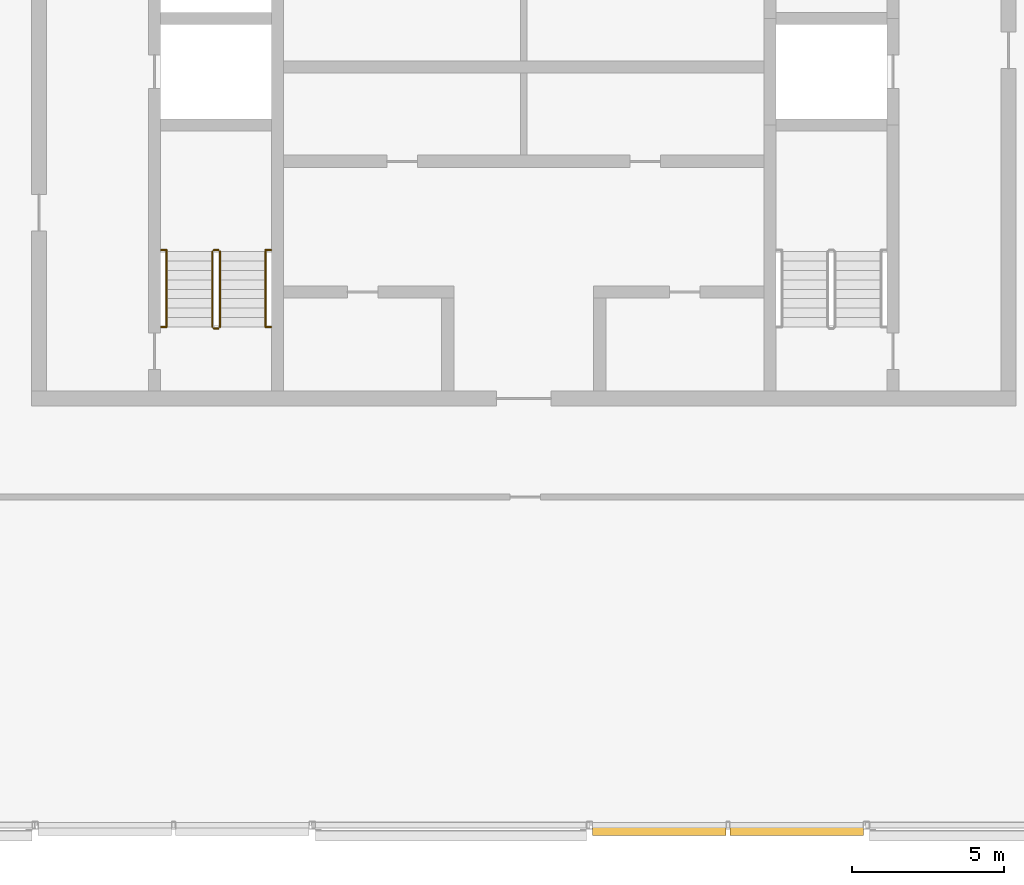
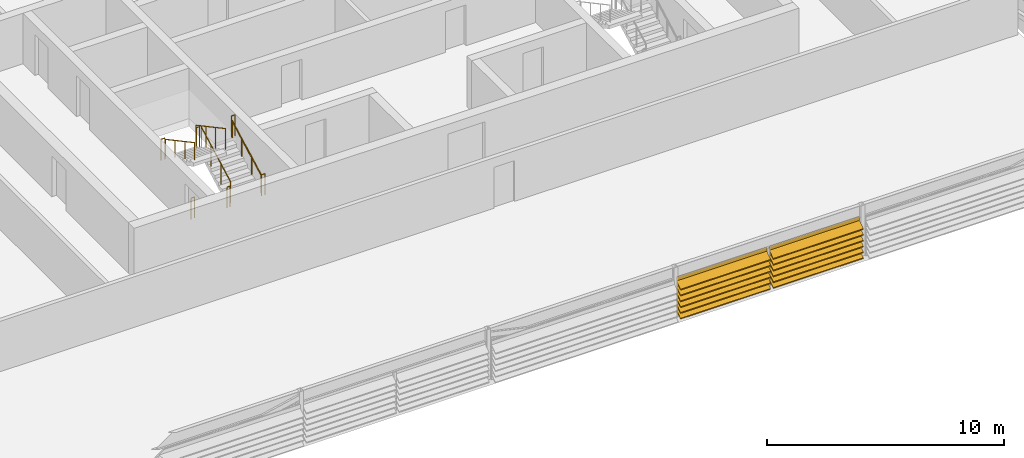
# One storey, part 24 of 27: 10 railings, 2 shading devices.
"""IFC4 building model written with IfcOpenShell, lengths in metres."""

from ifc_helpers import new_model, si_unit, direction, frame, origin, origin_2d, place, context, subcontext, project, spatial, polyline, circle, outline, extrude, material, type_object, element, save


model = new_model("IFC4")

# Units and contexts
model_context = context("Model", 3, precision=1e-05, world=origin(), true_north=direction((0.0, 1.0)))
body_context = subcontext(model_context, "Body", "Model", "MODEL_VIEW")
ifc_project = project(units=[si_unit("LENGTHUNIT", "METRE"), si_unit("AREAUNIT", "SQUARE_METRE"), si_unit("VOLUMEUNIT", "CUBIC_METRE"), si_unit("PLANEANGLEUNIT", "RADIAN"), si_unit("MASSUNIT", "GRAM", prefix="KILO")], contexts=[model_context])

# Site, building, storey
site_placement = place(None, origin())
site = spatial("IfcSite", under=ifc_project, at=site_placement, CompositionType="ELEMENT")
building_placement = place(site_placement, origin())
building = spatial("IfcBuilding", under=site, at=building_placement, Name="Madar Terraces", CompositionType="ELEMENT")
storey_placement = place(building_placement, frame((0.0, 0.0, 314.300048828125)))
storey = spatial("IfcBuildingStorey", under=building, at=storey_placement, Name="L81", CompositionType="ELEMENT", Elevation=314.300048828125)

# Shading devices
ifc_material_1 = material(Name="Aluminium, black anodised", Category="aluminium")
shading_device_type = type_object("IfcShadingDeviceType", Name="Crown louvre bank", PredefinedType="USERDEFINED", material=ifc_material_1)
shading_device_1_placement = place(storey_placement, frame((33.461669921875, 1.199951171875, 0.0), z_axis=(1.0, 0.0, 0.0), x_axis=(0.0, 1.0, 0.0)))
element("IfcShadingDevice", 1, at=shading_device_1_placement, inside=storey, type_object=shading_device_type, Name="LOUVRE bank L81 4.1", ObjectType="LOUVRE", PredefinedType="USERDEFINED", context=body_context, shape_type="SweptSolid", body=[
    extrude(outline(polyline([(0.014892578125, 0.0), (-0.014892578125, 0.0), (-0.014892578125, 0.24951171875), (-0.3427734375, 0.02001953125), (-0.3427734375, 0.06884765625), (-0.014892578125, 0.29833984375), (-0.014892578125, 0.54931640625), (-0.3427734375, 0.320068359375), (-0.3427734375, 0.368896484375), (-0.014892578125, 0.59814453125), (-0.014892578125, 0.849365234375), (-0.3427734375, 0.6201171875), (-0.3427734375, 0.6689453125), (-0.014892578125, 0.898193359375), (-0.014892578125, 1.1494140625), (-0.3427734375, 0.919921875), (-0.3427734375, 0.96875), (-0.014892578125, 1.1982421875), (-0.014892578125, 1.449462890625), (-0.3427734375, 1.219970703125), (-0.3427734375, 1.268798828125), (-0.014892578125, 1.498291015625), (-0.014892578125, 1.74951171875), (-0.3427734375, 1.52001953125), (-0.3427734375, 1.56884765625), (-0.014892578125, 1.79833984375), (-0.014892578125, 1.998046875), (0.014892578125, 1.998046875), (0.014892578125, 0.0)])), origin(), (0.0, 0.0, 1.0), 4.394775390625),
])
shading_device_2_placement = place(storey_placement, frame((37.9833984375, 1.199951171875, 0.0), z_axis=(1.0, 0.0, 0.0), x_axis=(0.0, 1.0, 0.0)))
element("IfcShadingDevice", 2, at=shading_device_2_placement, inside=storey, type_object=shading_device_type, Name="LOUVRE bank L81 4.2", ObjectType="LOUVRE", PredefinedType="USERDEFINED", context=body_context, shape_type="SweptSolid", body=[
    extrude(outline(polyline([(0.014892578125, 0.0), (-0.014892578125, 0.0), (-0.014892578125, 0.24951171875), (-0.3427734375, 0.02001953125), (-0.3427734375, 0.06884765625), (-0.014892578125, 0.29833984375), (-0.014892578125, 0.54931640625), (-0.3427734375, 0.320068359375), (-0.3427734375, 0.368896484375), (-0.014892578125, 0.59814453125), (-0.014892578125, 0.849365234375), (-0.3427734375, 0.6201171875), (-0.3427734375, 0.6689453125), (-0.014892578125, 0.898193359375), (-0.014892578125, 1.1494140625), (-0.3427734375, 0.919921875), (-0.3427734375, 0.96875), (-0.014892578125, 1.1982421875), (-0.014892578125, 1.449462890625), (-0.3427734375, 1.219970703125), (-0.3427734375, 1.268798828125), (-0.014892578125, 1.498291015625), (-0.014892578125, 1.74951171875), (-0.3427734375, 1.52001953125), (-0.3427734375, 1.56884765625), (-0.014892578125, 1.79833984375), (-0.014892578125, 1.998046875), (0.014892578125, 1.998046875), (0.014892578125, 0.0)])), origin(), (0.0, 0.0, 1.0), 4.39501953125),
])

# Railings
ifc_material_2 = material(Name="Stainless steel railing", Category="steel")
railing_type_1 = type_object("IfcRailingType", Name="Stair guard 1100", PredefinedType="GUARDRAIL", material=ifc_material_2)
railing_1_placement = place(storey_placement, frame((21.199951171875, 17.60009765625, 0.16650390625)))
element("IfcRailing", 3, at=railing_1_placement, inside=storey, type_object=railing_type_1, Name="L81 ST1 stair guard 1", PredefinedType="GUARDRAIL", context=body_context, shape_type="SweptSolid", body=[
    extrude(circle(Radius=0.02392578125, at=origin_2d()), frame((0.0, 0.0, 1.076171875), z_axis=(0.0, 0.880749358647, 0.473582693141), x_axis=(-1.0, 0.0, 0.0)), (0.0, 0.0, 1.0), 2.815673828125),
    extrude(circle(Radius=0.02099609375, at=origin_2d()), origin(), (0.0, 0.0, 1.0), 1.052001953125),
    extrude(circle(Radius=0.02099609375, at=origin_2d()), frame((0.0, 0.82666015625, 0.444580078125)), (0.0, 0.0, 1.0), 1.052001953125),
    extrude(circle(Radius=0.02099609375, at=origin_2d()), frame((0.0, 1.6533203125, 0.888916015625)), (0.0, 0.0, 1.0), 1.052001953125),
    extrude(circle(Radius=0.02099609375, at=origin_2d()), frame((0.0, 2.47998046875, 1.33349609375)), (0.0, 0.0, 1.0), 1.052001953125),
])
railing_2_placement = place(storey_placement, frame((21.14990234375, 20.1298828125, 1.5)))
element("IfcRailing", 4, at=railing_2_placement, inside=storey, type_object=railing_type_1, Name="L81 ST1 stair guard 2", PredefinedType="GUARDRAIL", context=body_context, shape_type="SweptSolid", body=[
    extrude(circle(Radius=0.02392578125, at=origin_2d()), frame((0.0, 0.0, 1.076171875), z_axis=(-1.0, 0.0, 0.0), x_axis=(0.0, -1.0, 0.0)), (0.0, 0.0, 1.0), 0.14990234375),
    extrude(circle(Radius=0.02099609375, at=origin_2d()), origin(), (0.0, 0.0, 1.0), 1.052001953125),
    extrude(circle(Radius=0.02099609375, at=origin_2d()), frame((-0.14990234375, 0.0, 0.0)), (0.0, 0.0, 1.0), 1.052001953125),
])
railing_3_placement = place(storey_placement, frame((20.949951171875, 20.080078125, 1.66650390625)))
element("IfcRailing", 5, at=railing_3_placement, inside=storey, type_object=railing_type_1, Name="L81 ST1 stair guard 3", PredefinedType="GUARDRAIL", context=body_context, shape_type="SweptSolid", body=[
    extrude(circle(Radius=0.02392578125, at=origin_2d()), frame((0.0, 0.0, 1.076171875), z_axis=(0.0, -0.880749358647, 0.473582693141), x_axis=(1.0, 0.0, 0.0)), (0.0, 0.0, 1.0), 2.815673828125),
    extrude(circle(Radius=0.02099609375, at=origin_2d()), origin(), (0.0, 0.0, 1.0), 1.052001953125),
    extrude(circle(Radius=0.02099609375, at=origin_2d()), frame((0.0, -0.82666015625, 0.444580078125)), (0.0, 0.0, 1.0), 1.052001953125),
    extrude(circle(Radius=0.02099609375, at=origin_2d()), frame((0.0, -1.6533203125, 0.888916015625)), (0.0, 0.0, 1.0), 1.052001953125),
    extrude(circle(Radius=0.02099609375, at=origin_2d()), frame((0.0, -2.47998046875, 1.33349609375)), (0.0, 0.0, 1.0), 1.052001953125),
])
railing_4_placement = place(storey_placement, frame((21.14990234375, 17.550048828125, 0.0)))
element("IfcRailing", 6, at=railing_4_placement, inside=storey, type_object=railing_type_1, Name="L81 ST1 stair guard 4", PredefinedType="GUARDRAIL", context=body_context, shape_type="SweptSolid", body=[
    extrude(circle(Radius=0.02392578125, at=origin_2d()), frame((0.0, 0.0, 1.076171875), z_axis=(-1.0, 0.0, 0.0), x_axis=(0.0, -1.0, 0.0)), (0.0, 0.0, 1.0), 0.14990234375),
    extrude(circle(Radius=0.02099609375, at=origin_2d()), origin(), (0.0, 0.0, 1.0), 1.052001953125),
    extrude(circle(Radius=0.02099609375, at=origin_2d()), frame((-0.14990234375, 0.0, 0.0)), (0.0, 0.0, 1.0), 1.052001953125),
])
for number, where, name in (
    (7, (19.27001953125, 20.1298828125, 1.5), "L81 stair guard seat 1"),
    (8, (22.699951171875, 20.1298828125, 1.5), "L81 stair guard seat 2"),
    (9, (19.27001953125, 17.60009765625, 0.0), "L81 stair guard floor 1"),
    (10, (22.699951171875, 17.60009765625, 0.0), "L81 stair guard floor 2"),
):
    element("IfcRailing", number, at=place(storey_placement, frame(where)), inside=storey, type_object=railing_type_1, Name=name, PredefinedType="GUARDRAIL", context=body_context, shape_type="SweptSolid", body=[
        extrude(circle(Radius=0.02392578125, at=origin_2d()), frame((0.0, 0.0, 1.076171875), z_axis=(1.0, 0.0, 0.0), x_axis=(0.0, 1.0, 0.0)), (0.0, 0.0, 1.0), 0.179931640625),
        extrude(circle(Radius=0.02099609375, at=origin_2d()), origin(), (0.0, 0.0, 1.0), 1.052001953125),
        extrude(circle(Radius=0.02099609375, at=origin_2d()), frame((0.179931640625, 0.0, 0.0)), (0.0, 0.0, 1.0), 1.052001953125),
    ])
ifc_material_3 = material(Name="Stainless steel railing", Category="steel")
railing_type_2 = type_object("IfcRailingType", Name="Stair handrail 900", PredefinedType="HANDRAIL", material=ifc_material_3)
railing_5_placement = place(storey_placement, frame((22.699951171875, 17.60009765625, 0.16650390625)))
element("IfcRailing", 11, at=railing_5_placement, inside=storey, type_object=railing_type_2, Name="L81 ST1 stair handrail 1", PredefinedType="HANDRAIL", context=body_context, shape_type="SweptSolid", body=[
    extrude(circle(Radius=0.02392578125, at=origin_2d()), frame((0.0, 0.0, 0.8759765625), z_axis=(0.0, 0.880749358647, 0.473582693141), x_axis=(-1.0, 0.0, 0.0)), (0.0, 0.0, 1.0), 2.815673828125),
    extrude(circle(Radius=0.02099609375, at=origin_2d()), origin(), (0.0, 0.0, 1.0), 0.851806640625),
    extrude(circle(Radius=0.02099609375, at=origin_2d()), frame((0.0, 0.82666015625, 0.444580078125)), (0.0, 0.0, 1.0), 0.851806640625),
    extrude(circle(Radius=0.02099609375, at=origin_2d()), frame((0.0, 1.6533203125, 0.888916015625)), (0.0, 0.0, 1.0), 0.851806640625),
    extrude(circle(Radius=0.02099609375, at=origin_2d()), frame((0.0, 2.47998046875, 1.33349609375)), (0.0, 0.0, 1.0), 0.851806640625),
])
railing_6_placement = place(storey_placement, frame((19.449951171875, 20.080078125, 1.66650390625)))
element("IfcRailing", 12, at=railing_6_placement, inside=storey, type_object=railing_type_2, Name="L81 ST1 stair handrail 2", PredefinedType="HANDRAIL", context=body_context, shape_type="SweptSolid", body=[
    extrude(circle(Radius=0.02392578125, at=origin_2d()), frame((0.0, 0.0, 0.8759765625), z_axis=(0.0, -0.880749358647, 0.473582693141), x_axis=(1.0, 0.0, 0.0)), (0.0, 0.0, 1.0), 2.815673828125),
    extrude(circle(Radius=0.02099609375, at=origin_2d()), origin(), (0.0, 0.0, 1.0), 0.851806640625),
    extrude(circle(Radius=0.02099609375, at=origin_2d()), frame((0.0, -0.82666015625, 0.444580078125)), (0.0, 0.0, 1.0), 0.851806640625),
    extrude(circle(Radius=0.02099609375, at=origin_2d()), frame((0.0, -1.6533203125, 0.888916015625)), (0.0, 0.0, 1.0), 0.851806640625),
    extrude(circle(Radius=0.02099609375, at=origin_2d()), frame((0.0, -2.47998046875, 1.33349609375)), (0.0, 0.0, 1.0), 0.851806640625),
])

save(model, "model.ifc")
